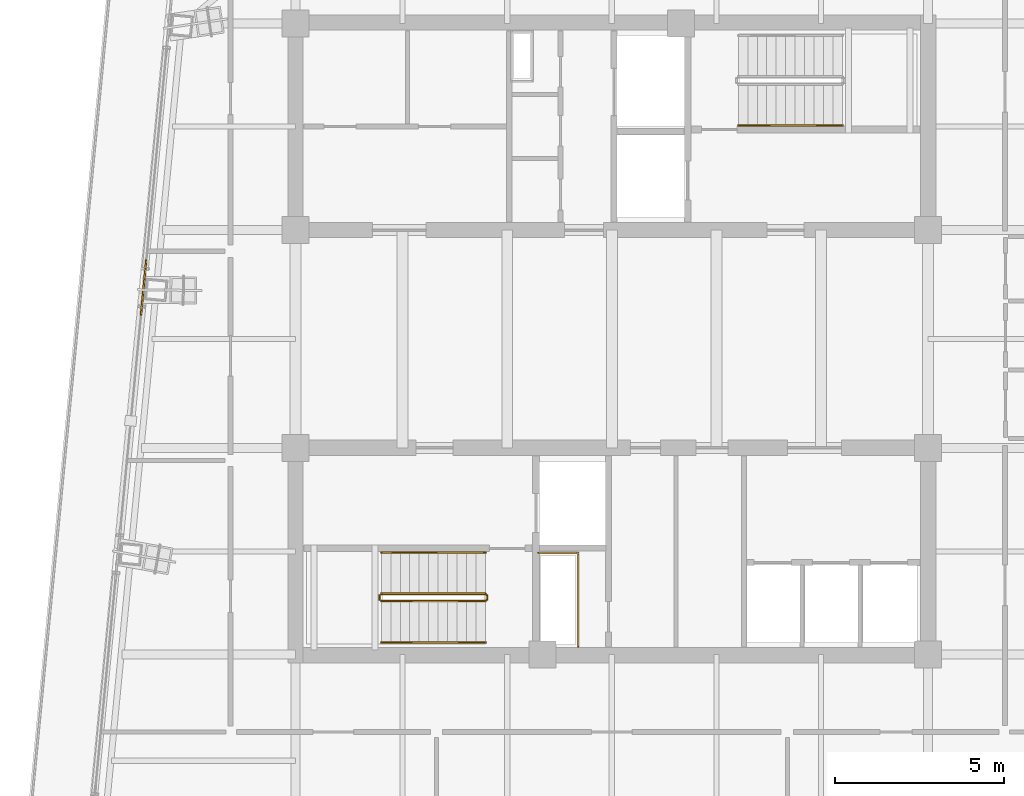
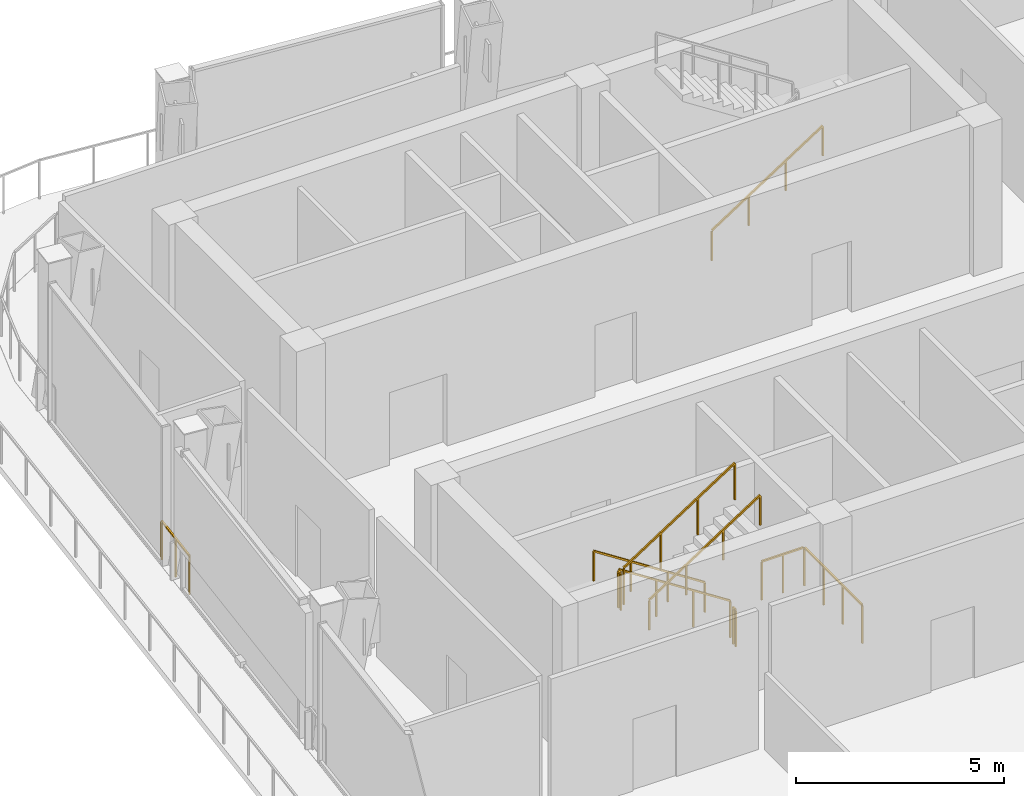
# One storey, part 16 of 19: 9 railings.
"""IFC4 building model written with IfcOpenShell, lengths in metres."""

import ifcopenshell
import ifcopenshell.guid

model = None  # the IFC model being written
_history = None  # IfcOwnerHistory: only IFC2X3 demands one
_inside = {}  # id of a spatial element -> (the spatial element, [elements in it])
_under = {}  # id of a project, library or spatial element -> (it, [spatial elements below it])
_declared = {}  # id of a project -> (the project, [libraries it declares])
_typed = {}  # id of a type object -> (the type object, [elements of that type])
_made_of = {}  # id of a material, layer set ... -> (it, [elements and type objects made of it])


def new_model(schema):
    """Start an empty IFC model of exactly this schema.

    Asked for "IFC4X3", IfcOpenShell would pick the latest addendum, in which some entities
    have other attributes; the version numbers below select the first issue.
    IFC2X3 requires an IfcOwnerHistory on every rooted entity: one is made here for all.
    """
    global model, _history
    if schema == "IFC4X3":
        model = ifcopenshell.file(schema_version=(4, 3, 0, 0))
    else:
        model = ifcopenshell.file(schema=schema)
    _inside.clear()
    _under.clear()
    _declared.clear()
    _typed.clear()
    _made_of.clear()
    _history = None
    if model.schema == "IFC2X3":
        org = make("IfcOrganization", Name="unknown")
        user = make(
            "IfcPersonAndOrganization",
            ThePerson=make("IfcPerson", FamilyName="unknown"),
            TheOrganization=org,
        )
        app = make(
            "IfcApplication",
            ApplicationDeveloper=org,
            Version="unknown",
            ApplicationFullName="unknown",
            ApplicationIdentifier="unknown",
        )
        _history = make(
            "IfcOwnerHistory",
            OwningUser=user,
            OwningApplication=app,
            ChangeAction="ADDED",
            CreationDate=0,
        )
    return model


def make(cls, **values):
    """One entity of the class cls with the attributes given. An attribute that is None is left unset."""
    return model.create_entity(
        cls, **{name: value for name, value in values.items() if value is not None}
    )


def rooted(cls, **values):
    """An entity with a GlobalId (a new one), such as an element, a storey or a relation."""
    return make(cls, GlobalId=ifcopenshell.guid.new(), OwnerHistory=_history, **values)


def si_unit(unit_type, name, prefix=None):
    """IfcSIUnit, for example si_unit("LENGTHUNIT", "METRE", prefix="MILLI")."""
    return make("IfcSIUnit", UnitType=unit_type, Prefix=prefix, Name=name)


def assignment(units):
    """IfcUnitAssignment: the units of a project."""
    return None if units is None else make("IfcUnitAssignment", Units=units)


def point(xyz):
    """IfcCartesianPoint."""
    return None if xyz is None else make("IfcCartesianPoint", Coordinates=xyz)


def direction(xyz):
    """IfcDirection."""
    return None if xyz is None else make("IfcDirection", DirectionRatios=xyz)


def frame(location, z_axis=None, x_axis=None):
    """IfcAxis2Placement3D, a coordinate frame: its origin and axes. An axis left out is left unset."""
    return make(
        "IfcAxis2Placement3D",
        Location=point(location),
        Axis=direction(z_axis),
        RefDirection=direction(x_axis),
    )


def frame_2d(location, x_axis=None):
    """IfcAxis2Placement2D, a coordinate frame in the plane: its origin and x axis."""
    return make(
        "IfcAxis2Placement2D", Location=point(location), RefDirection=direction(x_axis)
    )


def origin():
    """The frame at (0, 0, 0) with its axes left unset."""
    return frame((0.0, 0.0, 0.0))


def origin_2d():
    """The frame at (0, 0) in the plane with its x axis left unset."""
    return frame_2d((0.0, 0.0))


def place(relative_to, where):
    """IfcLocalPlacement: puts the frame where relative to a parent placement (None: the world)."""
    return make(
        "IfcLocalPlacement", PlacementRelTo=relative_to, RelativePlacement=where
    )


def context(
    kind, dimensions, precision=None, world=None, true_north=None, identifier=None
):
    """IfcGeometricRepresentationContext, for example the 3D "Model" context."""
    return make(
        "IfcGeometricRepresentationContext",
        ContextIdentifier=identifier,
        ContextType=kind,
        CoordinateSpaceDimension=dimensions,
        Precision=precision,
        WorldCoordinateSystem=world,
        TrueNorth=true_north,
    )


def subcontext(parent, identifier, kind, view, scale=None):
    """IfcGeometricRepresentationSubContext, for example "Body" below "Model"."""
    return make(
        "IfcGeometricRepresentationSubContext",
        ContextIdentifier=identifier,
        ContextType=kind,
        ParentContext=parent,
        TargetScale=scale,
        TargetView=view,
    )


def project(units=None, contexts=None):
    """IfcProject with its units and contexts."""
    return rooted(
        "IfcProject",
        Name="project",
        RepresentationContexts=contexts,
        UnitsInContext=assignment(units),
    )


def spatial(cls, under=None, at=None, **own):
    """A site, building, storey or space (cls), placed at a placement, below another one or the project."""
    s = rooted(cls, ObjectPlacement=at, **own)
    if under is not None:
        _under.setdefault(under.id(), (under, []))[1].append(s)
    return s


def profile(cls, at=None, kind="AREA", **sizes):
    """A parametric profile (cls). Its sizes go by their IFC names, for example OverallWidth=200.0."""
    return make(cls, ProfileType=kind, Position=at, **sizes)


def rectangle(**sizes):
    """IfcRectangleProfileDef."""
    return profile("IfcRectangleProfileDef", **sizes)


def extrude(swept, where, along, depth):
    """IfcExtrudedAreaSolid: the profile swept, set in the frame where, extruded along a direction by depth."""
    return make(
        "IfcExtrudedAreaSolid",
        SweptArea=swept,
        Position=where,
        ExtrudedDirection=direction(along),
        Depth=depth,
    )


def shape(context_of_items, identifier, shape_type, items):
    """IfcShapeRepresentation: the items that make up one representation, for example the "Body"."""
    return make(
        "IfcShapeRepresentation",
        ContextOfItems=context_of_items,
        RepresentationIdentifier=identifier,
        RepresentationType=shape_type,
        Items=items,
    )


def material(Name=None, Category=None):
    """IfcMaterial."""
    return make("IfcMaterial", Name=Name, Category=Category)


def made_of(thing, what):
    """Note that an element or type object is made of a material, layer set ...; save() writes the relation."""
    if what is not None:
        _made_of.setdefault(what.id(), (what, []))[1].append(thing)
    return thing


def type_object(cls, material=None, **own):
    """A type object (cls), such as IfcWallType, which elements share."""
    return made_of(rooted(cls, **own), material)


def element(
    cls,
    number,
    at=None,
    inside=None,
    cuts=None,
    type_object=None,
    material=None,
    context=None,
    identifier="Body",
    shape_type=None,
    held_by="IfcProductDefinitionShape",
    body=None,
    shapes=None,
    **own,
):
    """One element of the class cls, such as IfcWall. Its Tag is "e" and its number.

    at: its placement. inside: the storey or other place that contains it. cuts: it is an
    opening in that element (IfcRelVoidsElement). A single representation is given by context,
    identifier, shape_type and body (its items); several are given by shapes. held_by: the class
    of the entity that holds the representations. save() writes the other relations.
    """
    e = rooted(cls, Tag="e%d" % number, ObjectPlacement=at, **own)
    if body is not None:
        shapes = [shape(context, identifier, shape_type, body)]
    if shapes is not None:
        e.Representation = make(held_by, Representations=shapes)
    if inside is not None:
        _inside.setdefault(inside.id(), (inside, []))[1].append(e)
    if cuts is not None:
        rooted(
            "IfcRelVoidsElement", RelatingBuildingElement=cuts, RelatedOpeningElement=e
        )
    if type_object is not None:
        _typed.setdefault(type_object.id(), (type_object, []))[1].append(e)
    return made_of(e, material)


def aggregate(whole, parts):
    """IfcRelAggregates: a whole, such as a stair, and the parts it consists of."""
    return rooted("IfcRelAggregates", RelatingObject=whole, RelatedObjects=parts)


def save(model, path):
    """Write the relations noted so far, then the file.

    IfcRelAggregates (storeys below a building ...), IfcRelContainedInSpatialStructure (elements
    in a storey), IfcRelDefinesByType, IfcRelAssociatesMaterial and IfcRelDeclares: one each for
    every whole, place, type object, material and project.
    """
    for whole, parts in _under.values():
        aggregate(whole, parts)
    for where, things in _inside.values():
        rooted(
            "IfcRelContainedInSpatialStructure",
            RelatedElements=things,
            RelatingStructure=where,
        )
    for kind, things in _typed.values():
        rooted("IfcRelDefinesByType", RelatedObjects=things, RelatingType=kind)
    for what, things in _made_of.values():
        rooted("IfcRelAssociatesMaterial", RelatedObjects=things, RelatingMaterial=what)
    for by, libraries in _declared.values():
        rooted("IfcRelDeclares", RelatingContext=by, RelatedDefinitions=libraries)
    model.write(path)


model = new_model("IFC4")

# Units and contexts
model_context = context("Model", 3, precision=1e-05, world=origin(), true_north=direction((0.0, 1.0)))
body_context = subcontext(model_context, "Body", "Model", "MODEL_VIEW")
ifc_project = project(units=[si_unit("LENGTHUNIT", "METRE"), si_unit("AREAUNIT", "SQUARE_METRE"), si_unit("VOLUMEUNIT", "CUBIC_METRE"), si_unit("PLANEANGLEUNIT", "RADIAN"), si_unit("MASSUNIT", "GRAM", prefix="KILO")], contexts=[model_context])

# Site, building, storey
site_placement = place(None, origin())
site = spatial("IfcSite", under=ifc_project, at=site_placement, CompositionType="ELEMENT")
building_placement = place(site_placement, origin())
building = spatial("IfcBuilding", under=site, at=building_placement, Name="Qhalaya Broadcast Tower", CompositionType="ELEMENT")
storey_placement = place(building_placement, frame((0.0, 0.0, 280.550048828125)))
storey = spatial("IfcBuildingStorey", under=building, at=storey_placement, Name="L83", CompositionType="ELEMENT", Elevation=280.550048828125)

# Railings
ifc_material = material(Name="Powder-Coated Galvanised Steel", Category="steel")
railing_type_1 = type_object("IfcRailingType", Name="Stair Wall Handrail 900", PredefinedType="HANDRAIL", material=ifc_material)
railing_1_placement = place(storey_placement, frame((3.75, 6.929931640625, 0.18115234375)))
element("IfcRailing", 1, at=railing_1_placement, inside=storey, type_object=railing_type_1, Name="L83 ST-1 Stair Handrail 1", PredefinedType="HANDRAIL", context=body_context, shape_type="SweptSolid", body=[
    extrude(rectangle(XDim=0.048095703125, YDim=0.048095703125, at=origin_2d()), frame((0.0, 0.0, 0.8759765625), z_axis=(0.8394576718, 0.0, 0.543425079708), x_axis=(0.0, 1.0, 0.0)), (0.0, 0.0, 1.0), 3.669189453125),
    extrude(rectangle(XDim=0.0419921875, YDim=0.0419921875, at=origin_2d()), origin(), (0.0, 0.0, 1.0), 0.849853515625),
    extrude(rectangle(XDim=0.0419921875, YDim=0.0419921875, at=origin_2d()), frame((1.026611328125, 0.0, 0.66455078125)), (0.0, 0.0, 1.0), 0.849853515625),
    extrude(rectangle(XDim=0.0419921875, YDim=0.0419921875, at=origin_2d()), frame((2.053466796875, 0.0, 1.329345703125)), (0.0, 0.0, 1.0), 0.849853515625),
    extrude(rectangle(XDim=0.0419921875, YDim=0.0419921875, at=origin_2d()), frame((3.080078125, 0.0, 1.993896484375)), (0.0, 0.0, 1.0), 0.849853515625),
])
railing_2_placement = place(storey_placement, frame((-3.75, -5.72998046875, 0.18115234375)))
element("IfcRailing", 2, at=railing_2_placement, inside=storey, type_object=railing_type_1, Name="L83 ST-2 Stair Handrail 1", PredefinedType="HANDRAIL", context=body_context, shape_type="SweptSolid", body=[
    extrude(rectangle(XDim=0.048095703125, YDim=0.048095703125, at=origin_2d()), frame((0.0, 0.0, 0.8759765625), z_axis=(-0.8394576718, 0.0, 0.543425079708), x_axis=(0.0, -1.0, 0.0)), (0.0, 0.0, 1.0), 3.669189453125),
    extrude(rectangle(XDim=0.0419921875, YDim=0.0419921875, at=origin_2d()), origin(), (0.0, 0.0, 1.0), 0.849853515625),
    extrude(rectangle(XDim=0.0419921875, YDim=0.0419921875, at=origin_2d()), frame((-1.026611328125, 0.0, 0.66455078125)), (0.0, 0.0, 1.0), 0.849853515625),
    extrude(rectangle(XDim=0.0419921875, YDim=0.0419921875, at=origin_2d()), frame((-2.053466796875, 0.0, 1.329345703125)), (0.0, 0.0, 1.0), 0.849853515625),
    extrude(rectangle(XDim=0.0419921875, YDim=0.0419921875, at=origin_2d()), frame((-3.080078125, 0.0, 1.993896484375)), (0.0, 0.0, 1.0), 0.849853515625),
])
railing_3_placement = place(storey_placement, frame((-6.830078125, -8.389892578125, 2.356201171875)))
element("IfcRailing", 3, at=railing_3_placement, inside=storey, type_object=railing_type_1, Name="L83 ST-2 Stair Handrail 2", PredefinedType="HANDRAIL", context=body_context, shape_type="SweptSolid", body=[
    extrude(rectangle(XDim=0.048095703125, YDim=0.048095703125, at=origin_2d()), frame((0.0, 0.0, 0.8759765625), z_axis=(0.839488025565, 0.0, 0.543378187759), x_axis=(0.0, 1.0, 0.0)), (0.0, 0.0, 1.0), 3.6689453125),
    extrude(rectangle(XDim=0.0419921875, YDim=0.0419921875, at=origin_2d()), origin(), (0.0, 0.0, 1.0), 0.849853515625),
    extrude(rectangle(XDim=0.0419921875, YDim=0.0419921875, at=origin_2d()), frame((1.026611328125, 0.0, 0.66455078125)), (0.0, 0.0, 1.0), 0.849853515625),
    extrude(rectangle(XDim=0.0419921875, YDim=0.0419921875, at=origin_2d()), frame((2.053466796875, 0.0, 1.3291015625)), (0.0, 0.0, 1.0), 0.849853515625),
    extrude(rectangle(XDim=0.0419921875, YDim=0.0419921875, at=origin_2d()), frame((3.080078125, 0.0, 1.99365234375)), (0.0, 0.0, 1.0), 0.849853515625),
])
railing_type_2 = type_object("IfcRailingType", Name="Stair Well & Landing Guardrail 1100", PredefinedType="GUARDRAIL", material=ifc_material)
railing_4_placement = place(storey_placement, frame((-1.0, -8.52001953125, 0.0)))
element("IfcRailing", 4, at=railing_4_placement, inside=storey, type_object=railing_type_2, Name="L83 Service Riser Opening Safety Guard SRSR", PredefinedType="GUARDRAIL", context=body_context, shape_type="SweptSolid", body=[
    extrude(rectangle(XDim=0.048095703125, YDim=0.048095703125, at=origin_2d()), frame((0.0, 0.0, 1.1259765625), z_axis=(0.0, 1.0, 0.0), x_axis=(-1.0, 0.0, 0.0)), (0.0, 0.0, 1.0), 2.751220703125),
    extrude(rectangle(XDim=0.048095703125, YDim=0.048095703125, at=origin_2d()), frame((-0.02880859375, 2.780029296875, 1.1259765625), z_axis=(-1.0, 0.0, 0.0), x_axis=(0.0, -1.0, 0.0)), (0.0, 0.0, 1.0), 1.151123046875),
    extrude(rectangle(XDim=0.0419921875, YDim=0.0419921875, at=origin_2d()), origin(), (0.0, 0.0, 1.0), 1.099853515625),
    extrude(rectangle(XDim=0.0419921875, YDim=0.0419921875, at=origin_2d()), frame((0.0, 0.9267578125, 0.0)), (0.0, 0.0, 1.0), 1.099853515625),
    extrude(rectangle(XDim=0.0419921875, YDim=0.0419921875, at=origin_2d()), frame((0.0, 1.853271484375, 0.0)), (0.0, 0.0, 1.0), 1.099853515625),
    extrude(rectangle(XDim=0.0419921875, YDim=0.0419921875, at=origin_2d()), frame((0.0, 2.780029296875, 0.0)), (0.0, 0.0, 1.0), 1.099853515625),
    extrude(rectangle(XDim=0.0419921875, YDim=0.0419921875, at=origin_2d()), frame((-0.58984375, 2.780029296875, 0.0)), (0.0, 0.0, 1.0), 1.099853515625),
    extrude(rectangle(XDim=0.0419921875, YDim=0.0419921875, at=origin_2d()), frame((-1.179931640625, 2.780029296875, 0.0)), (0.0, 0.0, 1.0), 1.099853515625),
])
railing_5_placement = place(storey_placement, frame((-3.75, -6.949951171875, 0.18115234375)))
element("IfcRailing", 5, at=railing_5_placement, inside=storey, type_object=railing_type_2, Name="L83 ST-2 Stair Guard 1", PredefinedType="GUARDRAIL", context=body_context, shape_type="SweptSolid", body=[
    extrude(rectangle(XDim=0.048095703125, YDim=0.048095703125, at=origin_2d()), frame((0.0, 0.0, 1.076171875), z_axis=(-0.8394576718, 0.0, 0.543425079708), x_axis=(0.0, -1.0, 0.0)), (0.0, 0.0, 1.0), 3.669189453125),
    extrude(rectangle(XDim=0.0419921875, YDim=0.0419921875, at=origin_2d()), origin(), (0.0, 0.0, 1.0), 1.050048828125),
    extrude(rectangle(XDim=0.0419921875, YDim=0.0419921875, at=origin_2d()), frame((-1.026611328125, 0.0, 0.66455078125)), (0.0, 0.0, 1.0), 1.050048828125),
    extrude(rectangle(XDim=0.0419921875, YDim=0.0419921875, at=origin_2d()), frame((-2.053466796875, 0.0, 1.329345703125)), (0.0, 0.0, 1.0), 1.050048828125),
    extrude(rectangle(XDim=0.0419921875, YDim=0.0419921875, at=origin_2d()), frame((-3.080078125, 0.0, 1.993896484375)), (0.0, 0.0, 1.0), 1.050048828125),
])
railing_6_placement = place(storey_placement, frame((-6.8798828125, -7.0, 2.175048828125)))
element("IfcRailing", 6, at=railing_6_placement, inside=storey, type_object=railing_type_2, Name="L83 ST-2 Stair Guard 2", PredefinedType="GUARDRAIL", context=body_context, shape_type="SweptSolid", body=[
    extrude(rectangle(XDim=0.048095703125, YDim=0.048095703125, at=origin_2d()), frame((0.0, 0.0, 1.076171875), z_axis=(0.0, -1.0, 0.0), x_axis=(1.0, 0.0, 0.0)), (0.0, 0.0, 1.0), 0.1201171875),
    extrude(rectangle(XDim=0.0419921875, YDim=0.0419921875, at=origin_2d()), origin(), (0.0, 0.0, 1.0), 1.050048828125),
    extrude(rectangle(XDim=0.0419921875, YDim=0.0419921875, at=origin_2d()), frame((0.0, -0.1201171875, 0.0)), (0.0, 0.0, 1.0), 1.050048828125),
])
railing_7_placement = place(storey_placement, frame((-6.830078125, -7.169921875, 2.356201171875)))
element("IfcRailing", 7, at=railing_7_placement, inside=storey, type_object=railing_type_2, Name="L83 ST-2 Stair Guard 3", PredefinedType="GUARDRAIL", context=body_context, shape_type="SweptSolid", body=[
    extrude(rectangle(XDim=0.048095703125, YDim=0.048095703125, at=origin_2d()), frame((0.0, 0.0, 1.076171875), z_axis=(0.839488025565, 0.0, 0.543378187759), x_axis=(0.0, 1.0, 0.0)), (0.0, 0.0, 1.0), 3.6689453125),
    extrude(rectangle(XDim=0.0419921875, YDim=0.0419921875, at=origin_2d()), origin(), (0.0, 0.0, 1.0), 1.050048828125),
    extrude(rectangle(XDim=0.0419921875, YDim=0.0419921875, at=origin_2d()), frame((1.026611328125, 0.0, 0.66455078125)), (0.0, 0.0, 1.0), 1.050048828125),
    extrude(rectangle(XDim=0.0419921875, YDim=0.0419921875, at=origin_2d()), frame((2.053466796875, 0.0, 1.3291015625)), (0.0, 0.0, 1.0), 1.050048828125),
    extrude(rectangle(XDim=0.0419921875, YDim=0.0419921875, at=origin_2d()), frame((3.080078125, 0.0, 1.99365234375)), (0.0, 0.0, 1.0), 1.050048828125),
])
railing_8_placement = place(storey_placement, frame((-3.699951171875, -7.0, 0.0)))
element("IfcRailing", 8, at=railing_8_placement, inside=storey, type_object=railing_type_2, Name="L83 ST-2 Stair Guard 4", PredefinedType="GUARDRAIL", context=body_context, shape_type="SweptSolid", body=[
    extrude(rectangle(XDim=0.048095703125, YDim=0.048095703125, at=origin_2d()), frame((0.0, 0.0, 1.076171875), z_axis=(0.0, -1.0, 0.0), x_axis=(1.0, 0.0, 0.0)), (0.0, 0.0, 1.0), 0.1201171875),
    extrude(rectangle(XDim=0.0419921875, YDim=0.0419921875, at=origin_2d()), origin(), (0.0, 0.0, 1.0), 1.050048828125),
    extrude(rectangle(XDim=0.0419921875, YDim=0.0419921875, at=origin_2d()), frame((0.0, -0.1201171875, 0.0)), (0.0, 0.0, 1.0), 1.050048828125),
])
railing_type_3 = type_object("IfcRailingType", Name="Terrace, Sky-Pool & Lookout Glass Balustrade 1150", PredefinedType="BALUSTRADE", material=ifc_material)
railing_9_placement = place(storey_placement, frame((-13.95458984375, 1.3212890625, 0.0)))
element("IfcRailing", 9, at=railing_9_placement, inside=storey, type_object=railing_type_3, Name="L83 Rounded Corner Perimeter Guard 04", PredefinedType="BALUSTRADE", context=body_context, shape_type="SweptSolid", body=[
    extrude(rectangle(XDim=0.048095703125, YDim=0.048095703125, at=origin_2d()), frame((0.0, 0.0, 1.1259765625), z_axis=(0.095770338716, 0.995403457007, 0.0), x_axis=(-0.995403457007, 0.095770338716, 0.0)), (0.0, 0.0, 1.0), 1.60595703125),
    extrude(rectangle(XDim=0.0419921875, YDim=0.0419921875, at=origin_2d()), origin(), (0.0, 0.0, 1.0), 1.099853515625),
    extrude(rectangle(XDim=0.0419921875, YDim=0.0419921875, at=origin_2d()), frame((0.076904296875, 0.79931640625, 0.0)), (0.0, 0.0, 1.0), 1.099853515625),
    extrude(rectangle(XDim=0.0419921875, YDim=0.0419921875, at=origin_2d()), frame((0.15380859375, 1.5986328125, 0.0)), (0.0, 0.0, 1.0), 1.099853515625),
])

save(model, "model.ifc")
